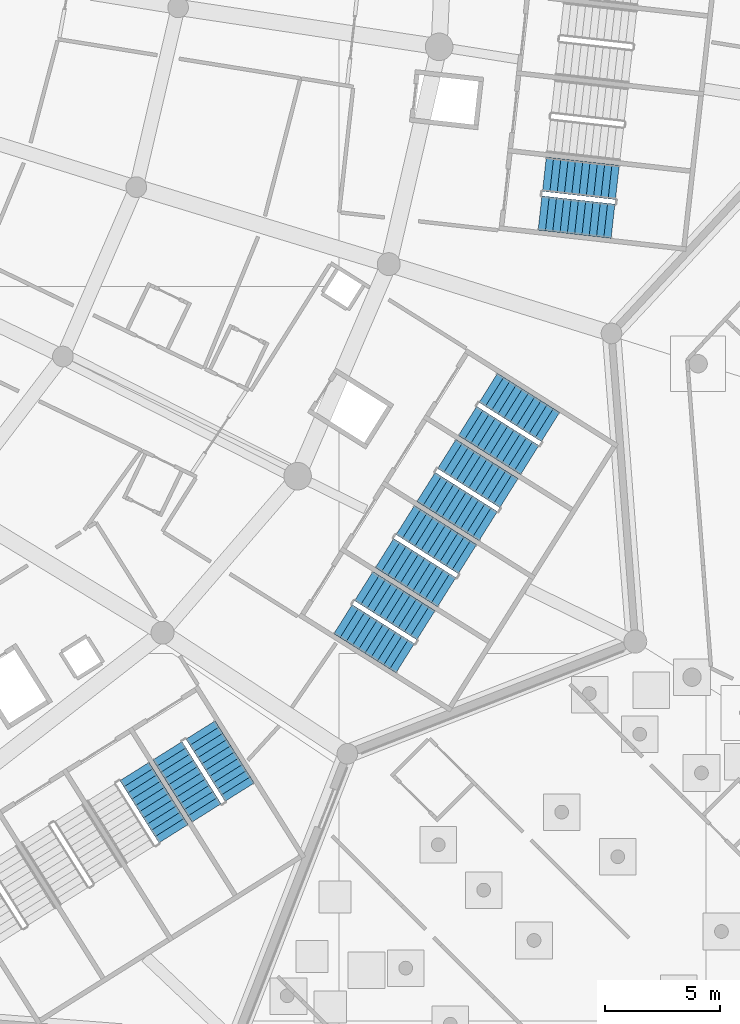
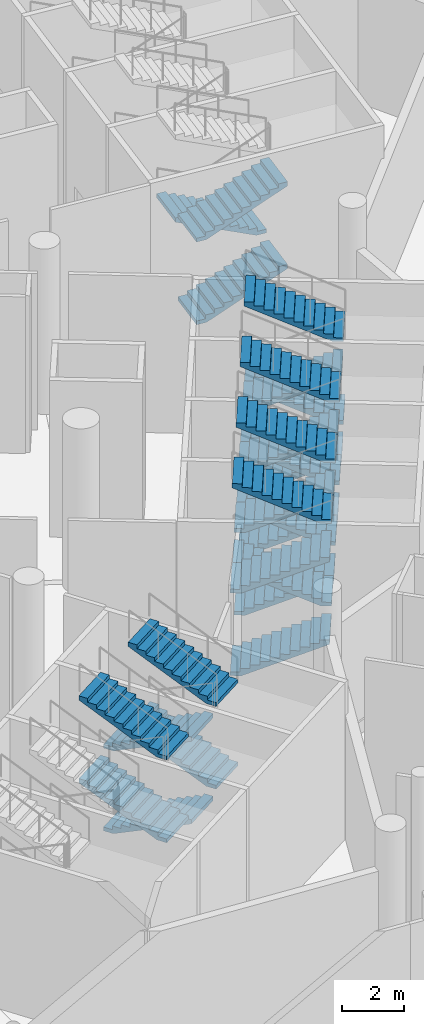
# One storey, part 168 of 255: 25 stair flights, 7 elements without a shape of their own.
"""IFC4 building model written with IfcOpenShell, lengths in metres."""

import ifcopenshell
import ifcopenshell.guid

model = None  # the IFC model being written
_history = None  # IfcOwnerHistory: only IFC2X3 demands one
_inside = {}  # id of a spatial element -> (the spatial element, [elements in it])
_under = {}  # id of a project, library or spatial element -> (it, [spatial elements below it])
_declared = {}  # id of a project -> (the project, [libraries it declares])
_typed = {}  # id of a type object -> (the type object, [elements of that type])
_made_of = {}  # id of a material, layer set ... -> (it, [elements and type objects made of it])


def new_model(schema):
    """Start an empty IFC model of exactly this schema.

    Asked for "IFC4X3", IfcOpenShell would pick the latest addendum, in which some entities
    have other attributes; the version numbers below select the first issue.
    IFC2X3 requires an IfcOwnerHistory on every rooted entity: one is made here for all.
    """
    global model, _history
    if schema == "IFC4X3":
        model = ifcopenshell.file(schema_version=(4, 3, 0, 0))
    else:
        model = ifcopenshell.file(schema=schema)
    _inside.clear()
    _under.clear()
    _declared.clear()
    _typed.clear()
    _made_of.clear()
    _history = None
    if model.schema == "IFC2X3":
        org = make("IfcOrganization", Name="unknown")
        user = make(
            "IfcPersonAndOrganization",
            ThePerson=make("IfcPerson", FamilyName="unknown"),
            TheOrganization=org,
        )
        app = make(
            "IfcApplication",
            ApplicationDeveloper=org,
            Version="unknown",
            ApplicationFullName="unknown",
            ApplicationIdentifier="unknown",
        )
        _history = make(
            "IfcOwnerHistory",
            OwningUser=user,
            OwningApplication=app,
            ChangeAction="ADDED",
            CreationDate=0,
        )
    return model


def make(cls, **values):
    """One entity of the class cls with the attributes given. An attribute that is None is left unset."""
    return model.create_entity(
        cls, **{name: value for name, value in values.items() if value is not None}
    )


def rooted(cls, **values):
    """An entity with a GlobalId (a new one), such as an element, a storey or a relation."""
    return make(cls, GlobalId=ifcopenshell.guid.new(), OwnerHistory=_history, **values)


def si_unit(unit_type, name, prefix=None):
    """IfcSIUnit, for example si_unit("LENGTHUNIT", "METRE", prefix="MILLI")."""
    return make("IfcSIUnit", UnitType=unit_type, Prefix=prefix, Name=name)


def assignment(units):
    """IfcUnitAssignment: the units of a project."""
    return None if units is None else make("IfcUnitAssignment", Units=units)


def point(xyz):
    """IfcCartesianPoint."""
    return None if xyz is None else make("IfcCartesianPoint", Coordinates=xyz)


def direction(xyz):
    """IfcDirection."""
    return None if xyz is None else make("IfcDirection", DirectionRatios=xyz)


def frame(location, z_axis=None, x_axis=None):
    """IfcAxis2Placement3D, a coordinate frame: its origin and axes. An axis left out is left unset."""
    return make(
        "IfcAxis2Placement3D",
        Location=point(location),
        Axis=direction(z_axis),
        RefDirection=direction(x_axis),
    )


def origin():
    """The frame at (0, 0, 0) with its axes left unset."""
    return frame((0.0, 0.0, 0.0))


def place(relative_to, where):
    """IfcLocalPlacement: puts the frame where relative to a parent placement (None: the world)."""
    return make(
        "IfcLocalPlacement", PlacementRelTo=relative_to, RelativePlacement=where
    )


def context(
    kind, dimensions, precision=None, world=None, true_north=None, identifier=None
):
    """IfcGeometricRepresentationContext, for example the 3D "Model" context."""
    return make(
        "IfcGeometricRepresentationContext",
        ContextIdentifier=identifier,
        ContextType=kind,
        CoordinateSpaceDimension=dimensions,
        Precision=precision,
        WorldCoordinateSystem=world,
        TrueNorth=true_north,
    )


def subcontext(parent, identifier, kind, view, scale=None):
    """IfcGeometricRepresentationSubContext, for example "Body" below "Model"."""
    return make(
        "IfcGeometricRepresentationSubContext",
        ContextIdentifier=identifier,
        ContextType=kind,
        ParentContext=parent,
        TargetScale=scale,
        TargetView=view,
    )


def project(units=None, contexts=None):
    """IfcProject with its units and contexts."""
    return rooted(
        "IfcProject",
        Name="project",
        RepresentationContexts=contexts,
        UnitsInContext=assignment(units),
    )


def spatial(cls, under=None, at=None, **own):
    """A site, building, storey or space (cls), placed at a placement, below another one or the project."""
    s = rooted(cls, ObjectPlacement=at, **own)
    if under is not None:
        _under.setdefault(under.id(), (under, []))[1].append(s)
    return s


def polyline(points):
    """IfcPolyline through the points."""
    return make("IfcPolyline", Points=[point(p) for p in points])


def outline(outer, holes=None, kind="AREA"):
    """IfcArbitraryClosedProfileDef: a profile drawn as a closed curve; with holes, ...WithVoids."""
    if holes is None:
        return make("IfcArbitraryClosedProfileDef", ProfileType=kind, OuterCurve=outer)
    return make(
        "IfcArbitraryProfileDefWithVoids",
        ProfileType=kind,
        OuterCurve=outer,
        InnerCurves=holes,
    )


def extrude(swept, where, along, depth):
    """IfcExtrudedAreaSolid: the profile swept, set in the frame where, extruded along a direction by depth."""
    return make(
        "IfcExtrudedAreaSolid",
        SweptArea=swept,
        Position=where,
        ExtrudedDirection=direction(along),
        Depth=depth,
    )


def shape(context_of_items, identifier, shape_type, items):
    """IfcShapeRepresentation: the items that make up one representation, for example the "Body"."""
    return make(
        "IfcShapeRepresentation",
        ContextOfItems=context_of_items,
        RepresentationIdentifier=identifier,
        RepresentationType=shape_type,
        Items=items,
    )


def material(Name=None, Category=None):
    """IfcMaterial."""
    return make("IfcMaterial", Name=Name, Category=Category)


def made_of(thing, what):
    """Note that an element or type object is made of a material, layer set ...; save() writes the relation."""
    if what is not None:
        _made_of.setdefault(what.id(), (what, []))[1].append(thing)
    return thing


def type_object(cls, material=None, **own):
    """A type object (cls), such as IfcWallType, which elements share."""
    return made_of(rooted(cls, **own), material)


def element(
    cls,
    number,
    at=None,
    inside=None,
    cuts=None,
    type_object=None,
    material=None,
    context=None,
    identifier="Body",
    shape_type=None,
    held_by="IfcProductDefinitionShape",
    body=None,
    shapes=None,
    **own,
):
    """One element of the class cls, such as IfcWall. Its Tag is "e" and its number.

    at: its placement. inside: the storey or other place that contains it. cuts: it is an
    opening in that element (IfcRelVoidsElement). A single representation is given by context,
    identifier, shape_type and body (its items); several are given by shapes. held_by: the class
    of the entity that holds the representations. save() writes the other relations.
    """
    e = rooted(cls, Tag="e%d" % number, ObjectPlacement=at, **own)
    if body is not None:
        shapes = [shape(context, identifier, shape_type, body)]
    if shapes is not None:
        e.Representation = make(held_by, Representations=shapes)
    if inside is not None:
        _inside.setdefault(inside.id(), (inside, []))[1].append(e)
    if cuts is not None:
        rooted(
            "IfcRelVoidsElement", RelatingBuildingElement=cuts, RelatedOpeningElement=e
        )
    if type_object is not None:
        _typed.setdefault(type_object.id(), (type_object, []))[1].append(e)
    return made_of(e, material)


def aggregate(whole, parts):
    """IfcRelAggregates: a whole, such as a stair, and the parts it consists of."""
    return rooted("IfcRelAggregates", RelatingObject=whole, RelatedObjects=parts)


def save(model, path):
    """Write the relations noted so far, then the file.

    IfcRelAggregates (storeys below a building ...), IfcRelContainedInSpatialStructure (elements
    in a storey), IfcRelDefinesByType, IfcRelAssociatesMaterial and IfcRelDeclares: one each for
    every whole, place, type object, material and project.
    """
    for whole, parts in _under.values():
        aggregate(whole, parts)
    for where, things in _inside.values():
        rooted(
            "IfcRelContainedInSpatialStructure",
            RelatedElements=things,
            RelatingStructure=where,
        )
    for kind, things in _typed.values():
        rooted("IfcRelDefinesByType", RelatedObjects=things, RelatingType=kind)
    for what, things in _made_of.values():
        rooted("IfcRelAssociatesMaterial", RelatedObjects=things, RelatingMaterial=what)
    for by, libraries in _declared.values():
        rooted("IfcRelDeclares", RelatingContext=by, RelatedDefinitions=libraries)
    model.write(path)


model = new_model("IFC4")

# Units and contexts
model_context = context("Model", 3, precision=1e-05, world=origin(), true_north=direction((0.0, 1.0)))
body_context = subcontext(model_context, "Body", "Model", "MODEL_VIEW")
ifc_project = project(units=[si_unit("LENGTHUNIT", "METRE"), si_unit("AREAUNIT", "SQUARE_METRE"), si_unit("VOLUMEUNIT", "CUBIC_METRE"), si_unit("PLANEANGLEUNIT", "RADIAN"), si_unit("MASSUNIT", "GRAM", prefix="KILO")], contexts=[model_context])

# Site, building, storey
site_placement = place(None, origin())
site = spatial("IfcSite", under=ifc_project, at=site_placement, CompositionType="ELEMENT")
building_placement = place(site_placement, origin())
building = spatial("IfcBuilding", under=site, at=building_placement, Name="Meseta Stadium", CompositionType="ELEMENT")
storey_placement = place(building_placement, origin())
storey = spatial("IfcBuildingStorey", under=building, at=storey_placement, Name="L00", CompositionType="ELEMENT", Elevation=0.0)

# Stair, stair flights
ifc_material_1 = material(Name="Concrete C40/50", Category="concrete")
stair_type = type_object("IfcStairType", Name="Exit stair 4 flights 148 mm risers", PredefinedType="HALF_TURN_STAIR", material=ifc_material_1)
stair_1_placement = place(storey_placement, origin())
stair_1 = element("IfcStair", 1, at=stair_1_placement, inside=storey, type_object=stair_type, Name="ST1 L00", PredefinedType="HALF_TURN_STAIR")
ifc_material_2 = material(Name="Concrete C40/50", Category="concrete")
stair_flight_type = type_object("IfcStairFlightType", Name="Exit stair flight 148 mm risers, 4 per storey", PredefinedType="STRAIGHT", material=ifc_material_2)
stair_flight_1_placement = place(storey_placement, frame((88.759033203125, -60.805419921875, 0.0), z_axis=(0.0, 0.0, 1.0), x_axis=(0.993712210731, -0.11196446867, 0.0)))
stair_flight_1 = element("IfcStairFlight", 2, at=stair_flight_1_placement, type_object=stair_flight_type, Name="ST1 L00 flight 1", NumberOfRisers=11, NumberOfTreads=10, PredefinedType="STRAIGHT", RiserHeight=0.147727273, TreadLength=0.32, context=body_context, shape_type="SweptSolid", body=[
    extrude(outline(polyline([(0.0, 0.0), (0.0, 0.147705078125), (0.320068359375, 0.147705078125), (0.320068359375, 0.29541015625), (0.639892578125, 0.29541015625), (0.639892578125, 0.443115234375), (0.9599609375, 0.443115234375), (0.9599609375, 0.5908203125), (1.280029296875, 0.5908203125), (1.280029296875, 0.738525390625), (1.60009765625, 0.738525390625), (1.60009765625, 0.886474609375), (1.919921875, 0.886474609375), (1.919921875, 1.0341796875), (2.239990234375, 1.0341796875), (2.239990234375, 1.181884765625), (2.56005859375, 1.181884765625), (2.56005859375, 1.32958984375), (2.8798828125, 1.32958984375), (2.8798828125, 1.477294921875), (3.199951171875, 1.477294921875), (3.199951171875, 1.312255859375), (0.357666015625, 0.0), (0.0, 0.0)])), frame((0.0, 0.75, 0.0), z_axis=(0.0, -1.0, 0.0), x_axis=(1.0, 0.0, 0.0)), (0.0, 0.0, 1.0), 1.5),
])
stair_flight_2_placement = place(storey_placement, frame((92.129150390625, -59.474365234375, 1.625), z_axis=(0.0, 0.0, 1.0), x_axis=(-0.993712210731, 0.11196446867, 0.0)))
stair_flight_2 = element("IfcStairFlight", 3, at=stair_flight_2_placement, type_object=stair_flight_type, Name="ST1 L00 flight 2", NumberOfRisers=11, NumberOfTreads=10, PredefinedType="STRAIGHT", RiserHeight=0.147727273, TreadLength=0.32, context=body_context, shape_type="SweptSolid", body=[
    extrude(outline(polyline([(0.0, 0.0), (0.0, 0.147705078125), (0.320068359375, 0.147705078125), (0.320068359375, 0.29541015625), (0.639892578125, 0.29541015625), (0.639892578125, 0.443115234375), (0.9599609375, 0.443115234375), (0.9599609375, 0.5908203125), (1.280029296875, 0.5908203125), (1.280029296875, 0.738525390625), (1.60009765625, 0.738525390625), (1.60009765625, 0.886474609375), (1.919921875, 0.886474609375), (1.919921875, 1.0341796875), (2.239990234375, 1.0341796875), (2.239990234375, 1.181884765625), (2.56005859375, 1.181884765625), (2.56005859375, 1.32958984375), (2.8798828125, 1.32958984375), (2.8798828125, 1.477294921875), (3.199951171875, 1.477294921875), (3.199951171875, 1.312255859375), (0.357666015625, 0.0), (0.0, 0.0)])), frame((0.0, 0.75, 0.0), z_axis=(0.0, -1.0, 0.0), x_axis=(1.0, 0.0, 0.0)), (0.0, 0.0, 1.0), 1.5),
])
stair_flight_3_placement = place(storey_placement, frame((88.759033203125, -60.805419921875, 3.25), z_axis=(0.0, 0.0, 1.0), x_axis=(0.993712210731, -0.11196446867, 0.0)))
stair_flight_3 = element("IfcStairFlight", 4, at=stair_flight_3_placement, type_object=stair_flight_type, Name="ST1 L00 flight 3", NumberOfRisers=11, NumberOfTreads=10, PredefinedType="STRAIGHT", RiserHeight=0.147727273, TreadLength=0.32, context=body_context, shape_type="SweptSolid", body=[
    extrude(outline(polyline([(0.0, 0.0), (0.0, 0.147705078125), (0.320068359375, 0.147705078125), (0.320068359375, 0.29541015625), (0.639892578125, 0.29541015625), (0.639892578125, 0.443115234375), (0.9599609375, 0.443115234375), (0.9599609375, 0.5908203125), (1.280029296875, 0.5908203125), (1.280029296875, 0.738525390625), (1.60009765625, 0.738525390625), (1.60009765625, 0.886474609375), (1.919921875, 0.886474609375), (1.919921875, 1.0341796875), (2.239990234375, 1.0341796875), (2.239990234375, 1.181884765625), (2.56005859375, 1.181884765625), (2.56005859375, 1.32958984375), (2.8798828125, 1.32958984375), (2.8798828125, 1.477294921875), (3.199951171875, 1.477294921875), (3.199951171875, 1.312255859375), (0.357666015625, 0.0), (0.0, 0.0)])), frame((0.0, 0.75, 0.0), z_axis=(0.0, -1.0, 0.0), x_axis=(1.0, 0.0, 0.0)), (0.0, 0.0, 1.0), 1.5),
])
aggregate(stair_1, [stair_flight_1, stair_flight_2, stair_flight_3])

stair_2_placement = place(storey_placement, origin())
stair_2 = element("IfcStair", 5, at=stair_2_placement, inside=storey, type_object=stair_type, Name="ST107 L00", PredefinedType="HALF_TURN_STAIR")
stair_flight_4_placement = place(storey_placement, frame((72.792236328125, -87.8466796875, 1.625), z_axis=(0.0, 0.0, 1.0), x_axis=(-0.532032074404, 0.846724200555, 0.0)))
stair_flight_4 = element("IfcStairFlight", 6, at=stair_flight_4_placement, type_object=stair_flight_type, Name="ST107 L00 flight 2", NumberOfRisers=11, NumberOfTreads=10, PredefinedType="STRAIGHT", RiserHeight=0.147727273, TreadLength=0.32, context=body_context, shape_type="SweptSolid", body=[
    extrude(outline(polyline([(0.0, 0.0), (0.0, 0.147705078125), (0.320068359375, 0.147705078125), (0.320068359375, 0.29541015625), (0.639892578125, 0.29541015625), (0.639892578125, 0.443115234375), (0.9599609375, 0.443115234375), (0.9599609375, 0.5908203125), (1.280029296875, 0.5908203125), (1.280029296875, 0.738525390625), (1.60009765625, 0.738525390625), (1.60009765625, 0.886474609375), (1.919921875, 0.886474609375), (1.919921875, 1.0341796875), (2.239990234375, 1.0341796875), (2.239990234375, 1.181884765625), (2.56005859375, 1.181884765625), (2.56005859375, 1.32958984375), (2.8798828125, 1.32958984375), (2.8798828125, 1.477294921875), (3.199951171875, 1.477294921875), (3.199951171875, 1.312255859375), (0.357666015625, 0.0), (0.0, 0.0)])), frame((0.0, 0.75, 0.0), z_axis=(0.0, -1.0, 0.0), x_axis=(1.0, 0.0, 0.0)), (0.0, 0.0, 1.0), 1.5),
])
stair_flight_5_placement = place(storey_placement, frame((72.792236328125, -87.8466796875, 4.875), z_axis=(0.0, 0.0, 1.0), x_axis=(-0.532032074404, 0.846724200555, 0.0)))
stair_flight_5 = element("IfcStairFlight", 7, at=stair_flight_5_placement, type_object=stair_flight_type, Name="ST107 L00 flight 4", NumberOfRisers=11, NumberOfTreads=10, PredefinedType="STRAIGHT", RiserHeight=0.147727273, TreadLength=0.32, context=body_context, shape_type="SweptSolid", body=[
    extrude(outline(polyline([(0.0, 0.0), (0.0, 0.147705078125), (0.320068359375, 0.147705078125), (0.320068359375, 0.29541015625), (0.639892578125, 0.29541015625), (0.639892578125, 0.443115234375), (0.9599609375, 0.443115234375), (0.9599609375, 0.5908203125), (1.280029296875, 0.5908203125), (1.280029296875, 0.738525390625), (1.60009765625, 0.738525390625), (1.60009765625, 0.886474609375), (1.919921875, 0.886474609375), (1.919921875, 1.0341796875), (2.239990234375, 1.0341796875), (2.239990234375, 1.181884765625), (2.56005859375, 1.181884765625), (2.56005859375, 1.32958984375), (2.8798828125, 1.32958984375), (2.8798828125, 1.477294921875), (3.199951171875, 1.477294921875), (3.199951171875, 1.312255859375), (0.357666015625, 0.0), (0.0, 0.0)])), frame((0.0, 0.75, 0.0), z_axis=(0.0, -1.0, 0.0), x_axis=(1.0, 0.0, 0.0)), (0.0, 0.0, 1.0), 1.5),
])
aggregate(stair_2, [stair_flight_4, stair_flight_5])

stair_3_placement = place(storey_placement, origin())
stair_3 = element("IfcStair", 8, at=stair_3_placement, inside=storey, type_object=stair_type, Name="ST108 L00", PredefinedType="HALF_TURN_STAIR")
stair_flight_6_placement = place(storey_placement, frame((72.529052734375, -84.232666015625, 0.0), z_axis=(0.0, 0.0, 1.0), x_axis=(0.532032074404, -0.846724200555, 0.0)))
stair_flight_6 = element("IfcStairFlight", 9, at=stair_flight_6_placement, type_object=stair_flight_type, Name="ST108 L00 flight 1", NumberOfRisers=11, NumberOfTreads=10, PredefinedType="STRAIGHT", RiserHeight=0.147727273, TreadLength=0.32, context=body_context, shape_type="SweptSolid", body=[
    extrude(outline(polyline([(0.0, 0.0), (0.0, 0.147705078125), (0.320068359375, 0.147705078125), (0.320068359375, 0.29541015625), (0.639892578125, 0.29541015625), (0.639892578125, 0.443115234375), (0.9599609375, 0.443115234375), (0.9599609375, 0.5908203125), (1.280029296875, 0.5908203125), (1.280029296875, 0.738525390625), (1.60009765625, 0.738525390625), (1.60009765625, 0.886474609375), (1.919921875, 0.886474609375), (1.919921875, 1.0341796875), (2.239990234375, 1.0341796875), (2.239990234375, 1.181884765625), (2.56005859375, 1.181884765625), (2.56005859375, 1.32958984375), (2.8798828125, 1.32958984375), (2.8798828125, 1.477294921875), (3.199951171875, 1.477294921875), (3.199951171875, 1.312255859375), (0.357666015625, 0.0), (0.0, 0.0)])), frame((0.0, 0.75, 0.0), z_axis=(0.0, -1.0, 0.0), x_axis=(1.0, 0.0, 0.0)), (0.0, 0.0, 1.0), 1.5),
])
stair_flight_7_placement = place(storey_placement, frame((75.671142578125, -86.037841796875, 1.625), z_axis=(0.0, 0.0, 1.0), x_axis=(-0.532032074404, 0.846724200555, 0.0)))
stair_flight_7 = element("IfcStairFlight", 10, at=stair_flight_7_placement, type_object=stair_flight_type, Name="ST108 L00 flight 2", NumberOfRisers=11, NumberOfTreads=10, PredefinedType="STRAIGHT", RiserHeight=0.147727273, TreadLength=0.32, context=body_context, shape_type="SweptSolid", body=[
    extrude(outline(polyline([(0.0, 0.0), (0.0, 0.147705078125), (0.320068359375, 0.147705078125), (0.320068359375, 0.29541015625), (0.639892578125, 0.29541015625), (0.639892578125, 0.443115234375), (0.9599609375, 0.443115234375), (0.9599609375, 0.5908203125), (1.280029296875, 0.5908203125), (1.280029296875, 0.738525390625), (1.60009765625, 0.738525390625), (1.60009765625, 0.886474609375), (1.919921875, 0.886474609375), (1.919921875, 1.0341796875), (2.239990234375, 1.0341796875), (2.239990234375, 1.181884765625), (2.56005859375, 1.181884765625), (2.56005859375, 1.32958984375), (2.8798828125, 1.32958984375), (2.8798828125, 1.477294921875), (3.199951171875, 1.477294921875), (3.199951171875, 1.312255859375), (0.357666015625, 0.0), (0.0, 0.0)])), frame((0.0, 0.75, 0.0), z_axis=(0.0, -1.0, 0.0), x_axis=(1.0, 0.0, 0.0)), (0.0, 0.0, 1.0), 1.5),
])
stair_flight_8_placement = place(storey_placement, frame((72.529052734375, -84.232666015625, 3.25), z_axis=(0.0, 0.0, 1.0), x_axis=(0.532032074404, -0.846724200555, 0.0)))
stair_flight_8 = element("IfcStairFlight", 11, at=stair_flight_8_placement, type_object=stair_flight_type, Name="ST108 L00 flight 3", NumberOfRisers=11, NumberOfTreads=10, PredefinedType="STRAIGHT", RiserHeight=0.147727273, TreadLength=0.32, context=body_context, shape_type="SweptSolid", body=[
    extrude(outline(polyline([(0.0, 0.0), (0.0, 0.147705078125), (0.320068359375, 0.147705078125), (0.320068359375, 0.29541015625), (0.639892578125, 0.29541015625), (0.639892578125, 0.443115234375), (0.9599609375, 0.443115234375), (0.9599609375, 0.5908203125), (1.280029296875, 0.5908203125), (1.280029296875, 0.738525390625), (1.60009765625, 0.738525390625), (1.60009765625, 0.886474609375), (1.919921875, 0.886474609375), (1.919921875, 1.0341796875), (2.239990234375, 1.0341796875), (2.239990234375, 1.181884765625), (2.56005859375, 1.181884765625), (2.56005859375, 1.32958984375), (2.8798828125, 1.32958984375), (2.8798828125, 1.477294921875), (3.199951171875, 1.477294921875), (3.199951171875, 1.312255859375), (0.357666015625, 0.0), (0.0, 0.0)])), frame((0.0, 0.75, 0.0), z_axis=(0.0, -1.0, 0.0), x_axis=(1.0, 0.0, 0.0)), (0.0, 0.0, 1.0), 1.5),
])
stair_flight_9_placement = place(storey_placement, frame((75.671142578125, -86.037841796875, 4.875), z_axis=(0.0, 0.0, 1.0), x_axis=(-0.532032074404, 0.846724200555, 0.0)))
stair_flight_9 = element("IfcStairFlight", 12, at=stair_flight_9_placement, type_object=stair_flight_type, Name="ST108 L00 flight 4", NumberOfRisers=11, NumberOfTreads=10, PredefinedType="STRAIGHT", RiserHeight=0.147727273, TreadLength=0.32, context=body_context, shape_type="SweptSolid", body=[
    extrude(outline(polyline([(0.0, 0.0), (0.0, 0.147705078125), (0.320068359375, 0.147705078125), (0.320068359375, 0.29541015625), (0.639892578125, 0.29541015625), (0.639892578125, 0.443115234375), (0.9599609375, 0.443115234375), (0.9599609375, 0.5908203125), (1.280029296875, 0.5908203125), (1.280029296875, 0.738525390625), (1.60009765625, 0.738525390625), (1.60009765625, 0.886474609375), (1.919921875, 0.886474609375), (1.919921875, 1.0341796875), (2.239990234375, 1.0341796875), (2.239990234375, 1.181884765625), (2.56005859375, 1.181884765625), (2.56005859375, 1.32958984375), (2.8798828125, 1.32958984375), (2.8798828125, 1.477294921875), (3.199951171875, 1.477294921875), (3.199951171875, 1.312255859375), (0.357666015625, 0.0), (0.0, 0.0)])), frame((0.0, 0.75, 0.0), z_axis=(0.0, -1.0, 0.0), x_axis=(1.0, 0.0, 0.0)), (0.0, 0.0, 1.0), 1.5),
])
aggregate(stair_3, [stair_flight_6, stair_flight_7, stair_flight_8, stair_flight_9])

stair_4_placement = place(storey_placement, origin())
stair_4 = element("IfcStair", 13, at=stair_4_placement, inside=storey, type_object=stair_type, Name="ST109 L00", PredefinedType="HALF_TURN_STAIR")
stair_flight_10_placement = place(storey_placement, frame((80.175048828125, -78.500732421875, 0.0), z_axis=(0.0, 0.0, 1.0), x_axis=(0.846724200555, -0.532032074404, 0.0)))
stair_flight_10 = element("IfcStairFlight", 14, at=stair_flight_10_placement, type_object=stair_flight_type, Name="ST109 L00 flight 1", NumberOfRisers=11, NumberOfTreads=10, PredefinedType="STRAIGHT", RiserHeight=0.147727273, TreadLength=0.32, context=body_context, shape_type="SweptSolid", body=[
    extrude(outline(polyline([(0.0, 0.0), (0.0, 0.147705078125), (0.320068359375, 0.147705078125), (0.320068359375, 0.29541015625), (0.639892578125, 0.29541015625), (0.639892578125, 0.443115234375), (0.9599609375, 0.443115234375), (0.9599609375, 0.5908203125), (1.280029296875, 0.5908203125), (1.280029296875, 0.738525390625), (1.60009765625, 0.738525390625), (1.60009765625, 0.886474609375), (1.919921875, 0.886474609375), (1.919921875, 1.0341796875), (2.239990234375, 1.0341796875), (2.239990234375, 1.181884765625), (2.56005859375, 1.181884765625), (2.56005859375, 1.32958984375), (2.8798828125, 1.32958984375), (2.8798828125, 1.477294921875), (3.199951171875, 1.477294921875), (3.199951171875, 1.312255859375), (0.357666015625, 0.0), (0.0, 0.0)])), frame((0.0, 0.75, 0.0), z_axis=(0.0, -1.0, 0.0), x_axis=(1.0, 0.0, 0.0)), (0.0, 0.0, 1.0), 1.5),
])
stair_flight_11_placement = place(storey_placement, frame((83.788818359375, -78.763671875, 1.625), z_axis=(0.0, 0.0, 1.0), x_axis=(-0.846724200555, 0.532032074404, 0.0)))
stair_flight_11 = element("IfcStairFlight", 15, at=stair_flight_11_placement, type_object=stair_flight_type, Name="ST109 L00 flight 2", NumberOfRisers=11, NumberOfTreads=10, PredefinedType="STRAIGHT", RiserHeight=0.147727273, TreadLength=0.32, context=body_context, shape_type="SweptSolid", body=[
    extrude(outline(polyline([(0.0, 0.0), (0.0, 0.147705078125), (0.320068359375, 0.147705078125), (0.320068359375, 0.29541015625), (0.639892578125, 0.29541015625), (0.639892578125, 0.443115234375), (0.9599609375, 0.443115234375), (0.9599609375, 0.5908203125), (1.280029296875, 0.5908203125), (1.280029296875, 0.738525390625), (1.60009765625, 0.738525390625), (1.60009765625, 0.886474609375), (1.919921875, 0.886474609375), (1.919921875, 1.0341796875), (2.239990234375, 1.0341796875), (2.239990234375, 1.181884765625), (2.56005859375, 1.181884765625), (2.56005859375, 1.32958984375), (2.8798828125, 1.32958984375), (2.8798828125, 1.477294921875), (3.199951171875, 1.477294921875), (3.199951171875, 1.312255859375), (0.357666015625, 0.0), (0.0, 0.0)])), frame((0.0, 0.75, 0.0), z_axis=(0.0, -1.0, 0.0), x_axis=(1.0, 0.0, 0.0)), (0.0, 0.0, 1.0), 1.5),
])
stair_flight_12_placement = place(storey_placement, frame((80.175048828125, -78.500732421875, 3.25), z_axis=(0.0, 0.0, 1.0), x_axis=(0.846724200555, -0.532032074404, 0.0)))
stair_flight_12 = element("IfcStairFlight", 16, at=stair_flight_12_placement, type_object=stair_flight_type, Name="ST109 L00 flight 3", NumberOfRisers=11, NumberOfTreads=10, PredefinedType="STRAIGHT", RiserHeight=0.147727273, TreadLength=0.32, context=body_context, shape_type="SweptSolid", body=[
    extrude(outline(polyline([(0.0, 0.0), (0.0, 0.147705078125), (0.320068359375, 0.147705078125), (0.320068359375, 0.29541015625), (0.639892578125, 0.29541015625), (0.639892578125, 0.443115234375), (0.9599609375, 0.443115234375), (0.9599609375, 0.5908203125), (1.280029296875, 0.5908203125), (1.280029296875, 0.738525390625), (1.60009765625, 0.738525390625), (1.60009765625, 0.886474609375), (1.919921875, 0.886474609375), (1.919921875, 1.0341796875), (2.239990234375, 1.0341796875), (2.239990234375, 1.181884765625), (2.56005859375, 1.181884765625), (2.56005859375, 1.32958984375), (2.8798828125, 1.32958984375), (2.8798828125, 1.477294921875), (3.199951171875, 1.477294921875), (3.199951171875, 1.312255859375), (0.357666015625, 0.0), (0.0, 0.0)])), frame((0.0, 0.75, 0.0), z_axis=(0.0, -1.0, 0.0), x_axis=(1.0, 0.0, 0.0)), (0.0, 0.0, 1.0), 1.5),
])
stair_flight_13_placement = place(storey_placement, frame((83.788818359375, -78.763671875, 4.875), z_axis=(0.0, 0.0, 1.0), x_axis=(-0.846724200555, 0.532032074404, 0.0)))
stair_flight_13 = element("IfcStairFlight", 17, at=stair_flight_13_placement, type_object=stair_flight_type, Name="ST109 L00 flight 4", NumberOfRisers=11, NumberOfTreads=10, PredefinedType="STRAIGHT", RiserHeight=0.147727273, TreadLength=0.32, context=body_context, shape_type="SweptSolid", body=[
    extrude(outline(polyline([(0.0, 0.0), (0.0, 0.147705078125), (0.320068359375, 0.147705078125), (0.320068359375, 0.29541015625), (0.639892578125, 0.29541015625), (0.639892578125, 0.443115234375), (0.9599609375, 0.443115234375), (0.9599609375, 0.5908203125), (1.280029296875, 0.5908203125), (1.280029296875, 0.738525390625), (1.60009765625, 0.738525390625), (1.60009765625, 0.886474609375), (1.919921875, 0.886474609375), (1.919921875, 1.0341796875), (2.239990234375, 1.0341796875), (2.239990234375, 1.181884765625), (2.56005859375, 1.181884765625), (2.56005859375, 1.32958984375), (2.8798828125, 1.32958984375), (2.8798828125, 1.477294921875), (3.199951171875, 1.477294921875), (3.199951171875, 1.312255859375), (0.357666015625, 0.0), (0.0, 0.0)])), frame((0.0, 0.75, 0.0), z_axis=(0.0, -1.0, 0.0), x_axis=(1.0, 0.0, 0.0)), (0.0, 0.0, 1.0), 1.5),
])
aggregate(stair_4, [stair_flight_10, stair_flight_11, stair_flight_12, stair_flight_13])

stair_5_placement = place(storey_placement, origin())
stair_5 = element("IfcStair", 18, at=stair_5_placement, inside=storey, type_object=stair_type, Name="ST110 L00", PredefinedType="HALF_TURN_STAIR")
stair_flight_14_placement = place(storey_placement, frame((81.98388671875, -75.621826171875, 0.0), z_axis=(0.0, 0.0, 1.0), x_axis=(0.846724200555, -0.532032074404, 0.0)))
stair_flight_14 = element("IfcStairFlight", 19, at=stair_flight_14_placement, type_object=stair_flight_type, Name="ST110 L00 flight 1", NumberOfRisers=11, NumberOfTreads=10, PredefinedType="STRAIGHT", RiserHeight=0.147727273, TreadLength=0.32, context=body_context, shape_type="SweptSolid", body=[
    extrude(outline(polyline([(0.0, 0.0), (0.0, 0.147705078125), (0.320068359375, 0.147705078125), (0.320068359375, 0.29541015625), (0.639892578125, 0.29541015625), (0.639892578125, 0.443115234375), (0.9599609375, 0.443115234375), (0.9599609375, 0.5908203125), (1.280029296875, 0.5908203125), (1.280029296875, 0.738525390625), (1.60009765625, 0.738525390625), (1.60009765625, 0.886474609375), (1.919921875, 0.886474609375), (1.919921875, 1.0341796875), (2.239990234375, 1.0341796875), (2.239990234375, 1.181884765625), (2.56005859375, 1.181884765625), (2.56005859375, 1.32958984375), (2.8798828125, 1.32958984375), (2.8798828125, 1.477294921875), (3.199951171875, 1.477294921875), (3.199951171875, 1.312255859375), (0.357666015625, 0.0), (0.0, 0.0)])), frame((0.0, 0.75, 0.0), z_axis=(0.0, -1.0, 0.0), x_axis=(1.0, 0.0, 0.0)), (0.0, 0.0, 1.0), 1.5),
])
stair_flight_15_placement = place(storey_placement, frame((85.597900390625, -75.884765625, 1.625), z_axis=(0.0, 0.0, 1.0), x_axis=(-0.846724200555, 0.532032074404, 0.0)))
stair_flight_15 = element("IfcStairFlight", 20, at=stair_flight_15_placement, type_object=stair_flight_type, Name="ST110 L00 flight 2", NumberOfRisers=11, NumberOfTreads=10, PredefinedType="STRAIGHT", RiserHeight=0.147727273, TreadLength=0.32, context=body_context, shape_type="SweptSolid", body=[
    extrude(outline(polyline([(0.0, 0.0), (0.0, 0.147705078125), (0.320068359375, 0.147705078125), (0.320068359375, 0.29541015625), (0.639892578125, 0.29541015625), (0.639892578125, 0.443115234375), (0.9599609375, 0.443115234375), (0.9599609375, 0.5908203125), (1.280029296875, 0.5908203125), (1.280029296875, 0.738525390625), (1.60009765625, 0.738525390625), (1.60009765625, 0.886474609375), (1.919921875, 0.886474609375), (1.919921875, 1.0341796875), (2.239990234375, 1.0341796875), (2.239990234375, 1.181884765625), (2.56005859375, 1.181884765625), (2.56005859375, 1.32958984375), (2.8798828125, 1.32958984375), (2.8798828125, 1.477294921875), (3.199951171875, 1.477294921875), (3.199951171875, 1.312255859375), (0.357666015625, 0.0), (0.0, 0.0)])), frame((0.0, 0.75, 0.0), z_axis=(0.0, -1.0, 0.0), x_axis=(1.0, 0.0, 0.0)), (0.0, 0.0, 1.0), 1.5),
])
stair_flight_16_placement = place(storey_placement, frame((81.98388671875, -75.621826171875, 3.25), z_axis=(0.0, 0.0, 1.0), x_axis=(0.846724200555, -0.532032074404, 0.0)))
stair_flight_16 = element("IfcStairFlight", 21, at=stair_flight_16_placement, type_object=stair_flight_type, Name="ST110 L00 flight 3", NumberOfRisers=11, NumberOfTreads=10, PredefinedType="STRAIGHT", RiserHeight=0.147727273, TreadLength=0.32, context=body_context, shape_type="SweptSolid", body=[
    extrude(outline(polyline([(0.0, 0.0), (0.0, 0.147705078125), (0.320068359375, 0.147705078125), (0.320068359375, 0.29541015625), (0.639892578125, 0.29541015625), (0.639892578125, 0.443115234375), (0.9599609375, 0.443115234375), (0.9599609375, 0.5908203125), (1.280029296875, 0.5908203125), (1.280029296875, 0.738525390625), (1.60009765625, 0.738525390625), (1.60009765625, 0.886474609375), (1.919921875, 0.886474609375), (1.919921875, 1.0341796875), (2.239990234375, 1.0341796875), (2.239990234375, 1.181884765625), (2.56005859375, 1.181884765625), (2.56005859375, 1.32958984375), (2.8798828125, 1.32958984375), (2.8798828125, 1.477294921875), (3.199951171875, 1.477294921875), (3.199951171875, 1.312255859375), (0.357666015625, 0.0), (0.0, 0.0)])), frame((0.0, 0.75, 0.0), z_axis=(0.0, -1.0, 0.0), x_axis=(1.0, 0.0, 0.0)), (0.0, 0.0, 1.0), 1.5),
])
stair_flight_17_placement = place(storey_placement, frame((85.597900390625, -75.884765625, 4.875), z_axis=(0.0, 0.0, 1.0), x_axis=(-0.846724200555, 0.532032074404, 0.0)))
stair_flight_17 = element("IfcStairFlight", 22, at=stair_flight_17_placement, type_object=stair_flight_type, Name="ST110 L00 flight 4", NumberOfRisers=11, NumberOfTreads=10, PredefinedType="STRAIGHT", RiserHeight=0.147727273, TreadLength=0.32, context=body_context, shape_type="SweptSolid", body=[
    extrude(outline(polyline([(0.0, 0.0), (0.0, 0.147705078125), (0.320068359375, 0.147705078125), (0.320068359375, 0.29541015625), (0.639892578125, 0.29541015625), (0.639892578125, 0.443115234375), (0.9599609375, 0.443115234375), (0.9599609375, 0.5908203125), (1.280029296875, 0.5908203125), (1.280029296875, 0.738525390625), (1.60009765625, 0.738525390625), (1.60009765625, 0.886474609375), (1.919921875, 0.886474609375), (1.919921875, 1.0341796875), (2.239990234375, 1.0341796875), (2.239990234375, 1.181884765625), (2.56005859375, 1.181884765625), (2.56005859375, 1.32958984375), (2.8798828125, 1.32958984375), (2.8798828125, 1.477294921875), (3.199951171875, 1.477294921875), (3.199951171875, 1.312255859375), (0.357666015625, 0.0), (0.0, 0.0)])), frame((0.0, 0.75, 0.0), z_axis=(0.0, -1.0, 0.0), x_axis=(1.0, 0.0, 0.0)), (0.0, 0.0, 1.0), 1.5),
])
aggregate(stair_5, [stair_flight_14, stair_flight_15, stair_flight_16, stair_flight_17])

stair_6_placement = place(storey_placement, origin())
stair_6 = element("IfcStair", 23, at=stair_6_placement, inside=storey, type_object=stair_type, Name="ST111 L00", PredefinedType="HALF_TURN_STAIR")
stair_flight_18_placement = place(storey_placement, frame((83.792724609375, -72.742919921875, 0.0), z_axis=(0.0, 0.0, 1.0), x_axis=(0.846724200555, -0.532032074404, 0.0)))
stair_flight_18 = element("IfcStairFlight", 24, at=stair_flight_18_placement, type_object=stair_flight_type, Name="ST111 L00 flight 1", NumberOfRisers=11, NumberOfTreads=10, PredefinedType="STRAIGHT", RiserHeight=0.147727273, TreadLength=0.32, context=body_context, shape_type="SweptSolid", body=[
    extrude(outline(polyline([(0.0, 0.0), (0.0, 0.147705078125), (0.320068359375, 0.147705078125), (0.320068359375, 0.29541015625), (0.639892578125, 0.29541015625), (0.639892578125, 0.443115234375), (0.9599609375, 0.443115234375), (0.9599609375, 0.5908203125), (1.280029296875, 0.5908203125), (1.280029296875, 0.738525390625), (1.60009765625, 0.738525390625), (1.60009765625, 0.886474609375), (1.919921875, 0.886474609375), (1.919921875, 1.0341796875), (2.239990234375, 1.0341796875), (2.239990234375, 1.181884765625), (2.56005859375, 1.181884765625), (2.56005859375, 1.32958984375), (2.8798828125, 1.32958984375), (2.8798828125, 1.477294921875), (3.199951171875, 1.477294921875), (3.199951171875, 1.312255859375), (0.357666015625, 0.0), (0.0, 0.0)])), frame((0.0, 0.75, 0.0), z_axis=(0.0, -1.0, 0.0), x_axis=(1.0, 0.0, 0.0)), (0.0, 0.0, 1.0), 1.5),
])
stair_flight_19_placement = place(storey_placement, frame((87.40673828125, -73.005859375, 1.625), z_axis=(0.0, 0.0, 1.0), x_axis=(-0.846724200555, 0.532032074404, 0.0)))
stair_flight_19 = element("IfcStairFlight", 25, at=stair_flight_19_placement, type_object=stair_flight_type, Name="ST111 L00 flight 2", NumberOfRisers=11, NumberOfTreads=10, PredefinedType="STRAIGHT", RiserHeight=0.147727273, TreadLength=0.32, context=body_context, shape_type="SweptSolid", body=[
    extrude(outline(polyline([(0.0, 0.0), (0.0, 0.147705078125), (0.320068359375, 0.147705078125), (0.320068359375, 0.29541015625), (0.639892578125, 0.29541015625), (0.639892578125, 0.443115234375), (0.9599609375, 0.443115234375), (0.9599609375, 0.5908203125), (1.280029296875, 0.5908203125), (1.280029296875, 0.738525390625), (1.60009765625, 0.738525390625), (1.60009765625, 0.886474609375), (1.919921875, 0.886474609375), (1.919921875, 1.0341796875), (2.239990234375, 1.0341796875), (2.239990234375, 1.181884765625), (2.56005859375, 1.181884765625), (2.56005859375, 1.32958984375), (2.8798828125, 1.32958984375), (2.8798828125, 1.477294921875), (3.199951171875, 1.477294921875), (3.199951171875, 1.312255859375), (0.357666015625, 0.0), (0.0, 0.0)])), frame((0.0, 0.75, 0.0), z_axis=(0.0, -1.0, 0.0), x_axis=(1.0, 0.0, 0.0)), (0.0, 0.0, 1.0), 1.5),
])
stair_flight_20_placement = place(storey_placement, frame((83.792724609375, -72.742919921875, 3.25), z_axis=(0.0, 0.0, 1.0), x_axis=(0.846724200555, -0.532032074404, 0.0)))
stair_flight_20 = element("IfcStairFlight", 26, at=stair_flight_20_placement, type_object=stair_flight_type, Name="ST111 L00 flight 3", NumberOfRisers=11, NumberOfTreads=10, PredefinedType="STRAIGHT", RiserHeight=0.147727273, TreadLength=0.32, context=body_context, shape_type="SweptSolid", body=[
    extrude(outline(polyline([(0.0, 0.0), (0.0, 0.147705078125), (0.320068359375, 0.147705078125), (0.320068359375, 0.29541015625), (0.639892578125, 0.29541015625), (0.639892578125, 0.443115234375), (0.9599609375, 0.443115234375), (0.9599609375, 0.5908203125), (1.280029296875, 0.5908203125), (1.280029296875, 0.738525390625), (1.60009765625, 0.738525390625), (1.60009765625, 0.886474609375), (1.919921875, 0.886474609375), (1.919921875, 1.0341796875), (2.239990234375, 1.0341796875), (2.239990234375, 1.181884765625), (2.56005859375, 1.181884765625), (2.56005859375, 1.32958984375), (2.8798828125, 1.32958984375), (2.8798828125, 1.477294921875), (3.199951171875, 1.477294921875), (3.199951171875, 1.312255859375), (0.357666015625, 0.0), (0.0, 0.0)])), frame((0.0, 0.75, 0.0), z_axis=(0.0, -1.0, 0.0), x_axis=(1.0, 0.0, 0.0)), (0.0, 0.0, 1.0), 1.5),
])
stair_flight_21_placement = place(storey_placement, frame((87.40673828125, -73.005859375, 4.875), z_axis=(0.0, 0.0, 1.0), x_axis=(-0.846724200555, 0.532032074404, 0.0)))
stair_flight_21 = element("IfcStairFlight", 27, at=stair_flight_21_placement, type_object=stair_flight_type, Name="ST111 L00 flight 4", NumberOfRisers=11, NumberOfTreads=10, PredefinedType="STRAIGHT", RiserHeight=0.147727273, TreadLength=0.32, context=body_context, shape_type="SweptSolid", body=[
    extrude(outline(polyline([(0.0, 0.0), (0.0, 0.147705078125), (0.320068359375, 0.147705078125), (0.320068359375, 0.29541015625), (0.639892578125, 0.29541015625), (0.639892578125, 0.443115234375), (0.9599609375, 0.443115234375), (0.9599609375, 0.5908203125), (1.280029296875, 0.5908203125), (1.280029296875, 0.738525390625), (1.60009765625, 0.738525390625), (1.60009765625, 0.886474609375), (1.919921875, 0.886474609375), (1.919921875, 1.0341796875), (2.239990234375, 1.0341796875), (2.239990234375, 1.181884765625), (2.56005859375, 1.181884765625), (2.56005859375, 1.32958984375), (2.8798828125, 1.32958984375), (2.8798828125, 1.477294921875), (3.199951171875, 1.477294921875), (3.199951171875, 1.312255859375), (0.357666015625, 0.0), (0.0, 0.0)])), frame((0.0, 0.75, 0.0), z_axis=(0.0, -1.0, 0.0), x_axis=(1.0, 0.0, 0.0)), (0.0, 0.0, 1.0), 1.5),
])
aggregate(stair_6, [stair_flight_18, stair_flight_19, stair_flight_20, stair_flight_21])

stair_7_placement = place(storey_placement, origin())
stair_7 = element("IfcStair", 28, at=stair_7_placement, inside=storey, type_object=stair_type, Name="ST112 L00", PredefinedType="HALF_TURN_STAIR")
stair_flight_22_placement = place(storey_placement, frame((85.6015625, -69.864013671875, 0.0), z_axis=(0.0, 0.0, 1.0), x_axis=(0.846724200555, -0.532032074404, 0.0)))
stair_flight_22 = element("IfcStairFlight", 29, at=stair_flight_22_placement, type_object=stair_flight_type, Name="ST112 L00 flight 1", NumberOfRisers=11, NumberOfTreads=10, PredefinedType="STRAIGHT", RiserHeight=0.147727273, TreadLength=0.32, context=body_context, shape_type="SweptSolid", body=[
    extrude(outline(polyline([(0.0, 0.0), (0.0, 0.147705078125), (0.320068359375, 0.147705078125), (0.320068359375, 0.29541015625), (0.639892578125, 0.29541015625), (0.639892578125, 0.443115234375), (0.9599609375, 0.443115234375), (0.9599609375, 0.5908203125), (1.280029296875, 0.5908203125), (1.280029296875, 0.738525390625), (1.60009765625, 0.738525390625), (1.60009765625, 0.886474609375), (1.919921875, 0.886474609375), (1.919921875, 1.0341796875), (2.239990234375, 1.0341796875), (2.239990234375, 1.181884765625), (2.56005859375, 1.181884765625), (2.56005859375, 1.32958984375), (2.8798828125, 1.32958984375), (2.8798828125, 1.477294921875), (3.199951171875, 1.477294921875), (3.199951171875, 1.312255859375), (0.357666015625, 0.0), (0.0, 0.0)])), frame((0.0, 0.75, 0.0), z_axis=(0.0, -1.0, 0.0), x_axis=(1.0, 0.0, 0.0)), (0.0, 0.0, 1.0), 1.5),
])
stair_flight_23_placement = place(storey_placement, frame((89.215576171875, -70.127197265625, 1.625), z_axis=(0.0, 0.0, 1.0), x_axis=(-0.846724200555, 0.532032074404, 0.0)))
stair_flight_23 = element("IfcStairFlight", 30, at=stair_flight_23_placement, type_object=stair_flight_type, Name="ST112 L00 flight 2", NumberOfRisers=11, NumberOfTreads=10, PredefinedType="STRAIGHT", RiserHeight=0.147727273, TreadLength=0.32, context=body_context, shape_type="SweptSolid", body=[
    extrude(outline(polyline([(0.0, 0.0), (0.0, 0.147705078125), (0.320068359375, 0.147705078125), (0.320068359375, 0.29541015625), (0.639892578125, 0.29541015625), (0.639892578125, 0.443115234375), (0.9599609375, 0.443115234375), (0.9599609375, 0.5908203125), (1.280029296875, 0.5908203125), (1.280029296875, 0.738525390625), (1.60009765625, 0.738525390625), (1.60009765625, 0.886474609375), (1.919921875, 0.886474609375), (1.919921875, 1.0341796875), (2.239990234375, 1.0341796875), (2.239990234375, 1.181884765625), (2.56005859375, 1.181884765625), (2.56005859375, 1.32958984375), (2.8798828125, 1.32958984375), (2.8798828125, 1.477294921875), (3.199951171875, 1.477294921875), (3.199951171875, 1.312255859375), (0.357666015625, 0.0), (0.0, 0.0)])), frame((0.0, 0.75, 0.0), z_axis=(0.0, -1.0, 0.0), x_axis=(1.0, 0.0, 0.0)), (0.0, 0.0, 1.0), 1.5),
])
stair_flight_24_placement = place(storey_placement, frame((85.6015625, -69.864013671875, 3.25), z_axis=(0.0, 0.0, 1.0), x_axis=(0.846724200555, -0.532032074404, 0.0)))
stair_flight_24 = element("IfcStairFlight", 31, at=stair_flight_24_placement, type_object=stair_flight_type, Name="ST112 L00 flight 3", NumberOfRisers=11, NumberOfTreads=10, PredefinedType="STRAIGHT", RiserHeight=0.147727273, TreadLength=0.32, context=body_context, shape_type="SweptSolid", body=[
    extrude(outline(polyline([(0.0, 0.0), (0.0, 0.147705078125), (0.320068359375, 0.147705078125), (0.320068359375, 0.29541015625), (0.639892578125, 0.29541015625), (0.639892578125, 0.443115234375), (0.9599609375, 0.443115234375), (0.9599609375, 0.5908203125), (1.280029296875, 0.5908203125), (1.280029296875, 0.738525390625), (1.60009765625, 0.738525390625), (1.60009765625, 0.886474609375), (1.919921875, 0.886474609375), (1.919921875, 1.0341796875), (2.239990234375, 1.0341796875), (2.239990234375, 1.181884765625), (2.56005859375, 1.181884765625), (2.56005859375, 1.32958984375), (2.8798828125, 1.32958984375), (2.8798828125, 1.477294921875), (3.199951171875, 1.477294921875), (3.199951171875, 1.312255859375), (0.357666015625, 0.0), (0.0, 0.0)])), frame((0.0, 0.75, 0.0), z_axis=(0.0, -1.0, 0.0), x_axis=(1.0, 0.0, 0.0)), (0.0, 0.0, 1.0), 1.5),
])
stair_flight_25_placement = place(storey_placement, frame((89.215576171875, -70.127197265625, 4.875), z_axis=(0.0, 0.0, 1.0), x_axis=(-0.846724200555, 0.532032074404, 0.0)))
stair_flight_25 = element("IfcStairFlight", 32, at=stair_flight_25_placement, type_object=stair_flight_type, Name="ST112 L00 flight 4", NumberOfRisers=11, NumberOfTreads=10, PredefinedType="STRAIGHT", RiserHeight=0.147727273, TreadLength=0.32, context=body_context, shape_type="SweptSolid", body=[
    extrude(outline(polyline([(0.0, 0.0), (0.0, 0.147705078125), (0.320068359375, 0.147705078125), (0.320068359375, 0.29541015625), (0.639892578125, 0.29541015625), (0.639892578125, 0.443115234375), (0.9599609375, 0.443115234375), (0.9599609375, 0.5908203125), (1.280029296875, 0.5908203125), (1.280029296875, 0.738525390625), (1.60009765625, 0.738525390625), (1.60009765625, 0.886474609375), (1.919921875, 0.886474609375), (1.919921875, 1.0341796875), (2.239990234375, 1.0341796875), (2.239990234375, 1.181884765625), (2.56005859375, 1.181884765625), (2.56005859375, 1.32958984375), (2.8798828125, 1.32958984375), (2.8798828125, 1.477294921875), (3.199951171875, 1.477294921875), (3.199951171875, 1.312255859375), (0.357666015625, 0.0), (0.0, 0.0)])), frame((0.0, 0.75, 0.0), z_axis=(0.0, -1.0, 0.0), x_axis=(1.0, 0.0, 0.0)), (0.0, 0.0, 1.0), 1.5),
])
aggregate(stair_7, [stair_flight_22, stair_flight_23, stair_flight_24, stair_flight_25])

save(model, "model.ifc")
